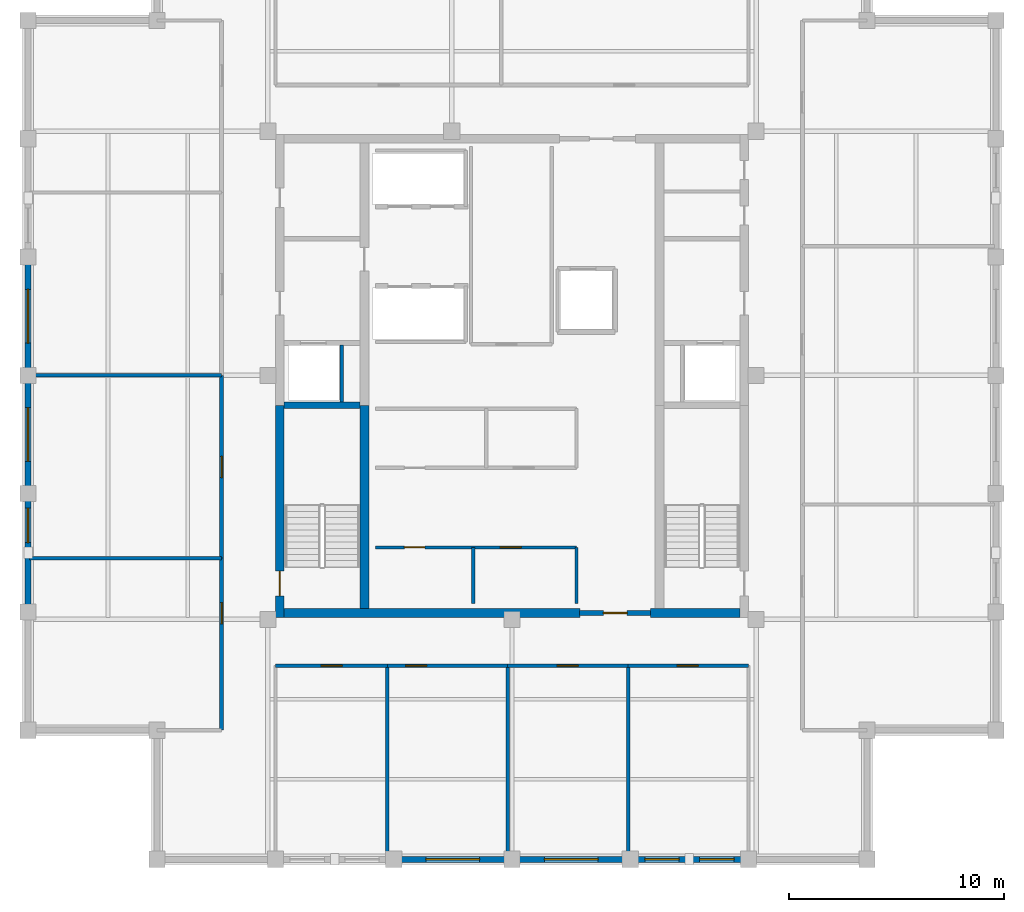
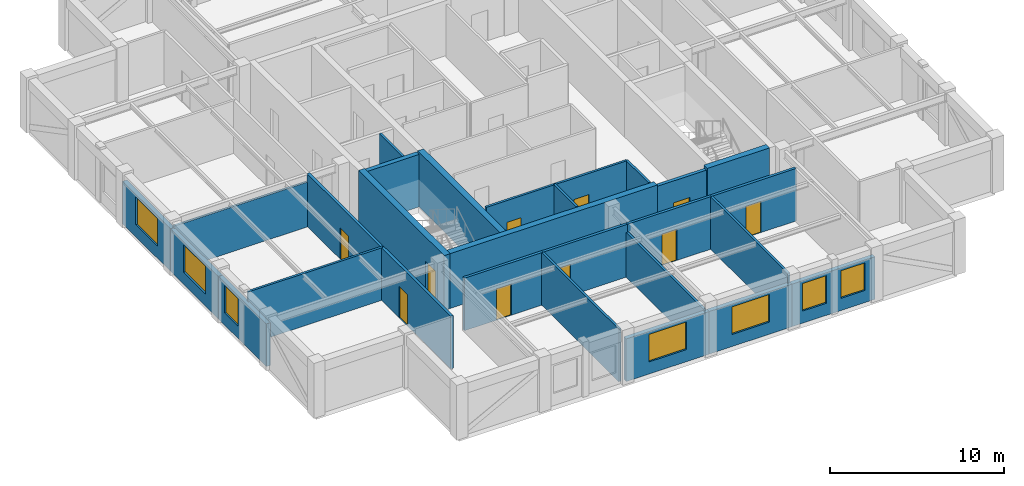
# One storey, part 2 of 6: 27 walls, 10 doors, 7 windows, 17 openings.
"""IFC4 building model written with IfcOpenShell, lengths in metres."""

from ifc_helpers import new_model, si_unit, direction, frame, frame_2d, origin, place, context, subcontext, project, spatial, rectangle, extrude, material, layer, layer_set, type_object, element, fill, save


model = new_model("IFC4")

# Units and contexts
model_context = context("Model", 3, precision=1e-05, world=origin(), true_north=direction((0.0, 1.0)))
body_context = subcontext(model_context, "Body", "Model", "MODEL_VIEW")
ifc_project = project(units=[si_unit("LENGTHUNIT", "METRE"), si_unit("AREAUNIT", "SQUARE_METRE"), si_unit("VOLUMEUNIT", "CUBIC_METRE"), si_unit("PLANEANGLEUNIT", "RADIAN"), si_unit("MASSUNIT", "GRAM", prefix="KILO")], contexts=[model_context])

# Site, building, storey
site_placement = place(None, origin())
site = spatial("IfcSite", under=ifc_project, at=site_placement, CompositionType="ELEMENT")
building_placement = place(site_placement, origin())
building = spatial("IfcBuilding", under=site, at=building_placement, Name="Nhamokura Convention Tower", CompositionType="ELEMENT")
storey_placement = place(building_placement, frame((0.0, 0.0, 266.0)))
storey = spatial("IfcBuildingStorey", under=building, at=storey_placement, Name="L65", CompositionType="ELEMENT", Elevation=266.0)

# Wall, opening, window
ifc_material_1 = material(Name="Bronze-pigmented precast concrete C45/55", Category="concrete")
ifc_layer_1 = layer(ifc_material_1, 0.280029296875)
ifc_layer_set_1 = layer_set([ifc_layer_1], Name="BronzePrecastSpandrel_280")
wall_type_1 = type_object("IfcWallType", Name="BronzePrecastSpandrel_280", PredefinedType="USERDEFINED", material=ifc_layer_set_1)
wall_1_placement = place(storey_placement, frame((32.0, 9.5, 0.0), z_axis=(0.0, 0.0, 1.0), x_axis=(-1.0, 0.0, 0.0)))
wall_1 = element("IfcWall", 1, at=wall_1_placement, inside=storey, type_object=wall_type_1, Name="L65 Masonry-Frame Wall SOUTH 2", ObjectType="SPANDREL_WALL", PredefinedType="USERDEFINED", context=body_context, shape_type="SweptSolid", body=[
    extrude(rectangle(XDim=5.5, YDim=0.280029296875, at=frame_2d((2.75, 0.0))), origin(), (0.0, 0.0, 1.0), 2.985107421875),
])
opening_1_placement = place(wall_1_placement, frame((1.5, 0.0, 0.85009765625)))
opening_1 = element("IfcOpeningElement", 2, at=opening_1_placement, cuts=wall_1, Name="Opening W-09", PredefinedType="OPENING", context=body_context, shape_type="SweptSolid", body=[
    extrude(rectangle(XDim=2.5, YDim=1.93505859375, at=frame_2d((1.25, 0.967529296875))), frame((0.0, 0.14990234375, 0.0), z_axis=(0.0, -1.0, 0.0), x_axis=(1.0, 0.0, 0.0)), (0.0, 0.0, 1.0), 0.300048828125),
])
ifc_material_2 = material(Name="Solar-control bronze low-E double glass", Category="glass")
window_type_1 = type_object("IfcWindowType", Name="SummitWindow_Z4_2500", PartitioningType="DOUBLE_PANEL_VERTICAL", PredefinedType="WINDOW", material=ifc_material_2)
window_1_placement = place(opening_1_placement, origin())
window_1 = element("IfcWindow", 3, at=window_1_placement, inside=storey, type_object=window_type_1, Name="L65 Facade Window SOUTH 2", OverallHeight=1.93505859375, OverallWidth=2.5, PartitioningType="SINGLE_PANEL", PredefinedType="WINDOW", context=body_context, shape_type="SweptSolid", body=[
    extrude(rectangle(XDim=2.5, YDim=1.93505859375, at=frame_2d((1.25, 0.967529296875))), frame((0.0, 0.030029296875, 0.0), z_axis=(0.0, -1.0, 0.0), x_axis=(1.0, 0.0, 0.0)), (0.0, 0.0, 1.0), 0.06005859375),
])
fill(opening_1, window_1)

wall_2_placement = place(storey_placement, frame((37.5, 9.5, 0.0), z_axis=(0.0, 0.0, 1.0), x_axis=(-1.0, 0.0, 0.0)))
wall_2 = element("IfcWall", 4, at=wall_2_placement, inside=storey, type_object=wall_type_1, Name="L65 Masonry-Frame Wall SOUTH 3", ObjectType="SPANDREL_WALL", PredefinedType="USERDEFINED", context=body_context, shape_type="SweptSolid", body=[
    extrude(rectangle(XDim=5.5, YDim=0.280029296875, at=frame_2d((2.75, 0.0))), origin(), (0.0, 0.0, 1.0), 2.985107421875),
])
opening_2_placement = place(wall_2_placement, frame((1.5, 0.0, 0.85009765625)))
opening_2 = element("IfcOpeningElement", 5, at=opening_2_placement, cuts=wall_2, Name="Opening W-09", PredefinedType="OPENING", context=body_context, shape_type="SweptSolid", body=[
    extrude(rectangle(XDim=2.5, YDim=1.93505859375, at=frame_2d((1.25, 0.967529296875))), frame((0.0, 0.14990234375, 0.0), z_axis=(0.0, -1.0, 0.0), x_axis=(1.0, 0.0, 0.0)), (0.0, 0.0, 1.0), 0.300048828125),
])
window_2_placement = place(opening_2_placement, origin())
window_2 = element("IfcWindow", 6, at=window_2_placement, inside=storey, type_object=window_type_1, Name="L65 Facade Window SOUTH 3", OverallHeight=1.93505859375, OverallWidth=2.5, PartitioningType="SINGLE_PANEL", PredefinedType="WINDOW", context=body_context, shape_type="SweptSolid", body=[
    extrude(rectangle(XDim=2.5, YDim=1.93505859375, at=frame_2d((1.25, 0.967529296875))), frame((0.0, 0.030029296875, 0.0), z_axis=(0.0, -1.0, 0.0), x_axis=(1.0, 0.0, 0.0)), (0.0, 0.0, 1.0), 0.06005859375),
])
fill(opening_2, window_2)

# Wall, openings, windows
wall_3_placement = place(storey_placement, frame((43.0, 9.5, 0.0), z_axis=(0.0, 0.0, 1.0), x_axis=(-1.0, 0.0, 0.0)))
wall_3 = element("IfcWall", 7, at=wall_3_placement, inside=storey, type_object=wall_type_1, Name="L65 Masonry-Frame Wall SOUTH 4", ObjectType="SPANDREL_WALL", PredefinedType="USERDEFINED", context=body_context, shape_type="SweptSolid", body=[
    extrude(rectangle(XDim=5.5, YDim=0.280029296875, at=frame_2d((2.75, 0.0))), origin(), (0.0, 0.0, 1.0), 2.985107421875),
])
opening_3_placement = place(wall_3_placement, frame((0.675048828125, 0.0, 0.85009765625)))
opening_3 = element("IfcOpeningElement", 8, at=opening_3_placement, cuts=wall_3, Name="Opening W-11", PredefinedType="OPENING", context=body_context, shape_type="SweptSolid", body=[
    extrude(rectangle(XDim=1.60009765625, YDim=1.93505859375, at=frame_2d((0.800048828125, 0.967529296875))), frame((0.0, 0.14990234375, 0.0), z_axis=(0.0, -1.0, 0.0), x_axis=(1.0, 0.0, 0.0)), (0.0, 0.0, 1.0), 0.300048828125),
])
opening_4_placement = place(wall_3_placement, frame((3.22509765625, 0.0, 0.85009765625)))
opening_4 = element("IfcOpeningElement", 9, at=opening_4_placement, cuts=wall_3, Name="Opening W-11", PredefinedType="OPENING", context=body_context, shape_type="SweptSolid", body=[
    extrude(rectangle(XDim=1.60009765625, YDim=1.93505859375, at=frame_2d((0.800048828125, 0.967529296875))), frame((0.0, 0.14990234375, 0.0), z_axis=(0.0, -1.0, 0.0), x_axis=(1.0, 0.0, 0.0)), (0.0, 0.0, 1.0), 0.300048828125),
])
ifc_material_3 = material(Name="Solar-control bronze low-E double glass", Category="glass")
window_type_2 = type_object("IfcWindowType", Name="NotchCornerWindow_1600", PartitioningType="SINGLE_PANEL", PredefinedType="WINDOW", material=ifc_material_3)
window_3_placement = place(opening_3_placement, origin())
window_3 = element("IfcWindow", 10, at=window_3_placement, inside=storey, type_object=window_type_2, Name="L65 Facade Window SOUTH 4-1", OverallHeight=1.93505859375, OverallWidth=1.60009765625, PartitioningType="SINGLE_PANEL", PredefinedType="WINDOW", context=body_context, shape_type="SweptSolid", body=[
    extrude(rectangle(XDim=1.60009765625, YDim=1.93505859375, at=frame_2d((0.800048828125, 0.967529296875))), frame((0.0, 0.030029296875, 0.0), z_axis=(0.0, -1.0, 0.0), x_axis=(1.0, 0.0, 0.0)), (0.0, 0.0, 1.0), 0.06005859375),
])
fill(opening_3, window_3)
window_4_placement = place(opening_4_placement, origin())
window_4 = element("IfcWindow", 11, at=window_4_placement, inside=storey, type_object=window_type_2, Name="L65 Facade Window SOUTH 4-2", OverallHeight=1.93505859375, OverallWidth=1.60009765625, PartitioningType="SINGLE_PANEL", PredefinedType="WINDOW", context=body_context, shape_type="SweptSolid", body=[
    extrude(rectangle(XDim=1.60009765625, YDim=1.93505859375, at=frame_2d((0.800048828125, 0.967529296875))), frame((0.0, 0.030029296875, 0.0), z_axis=(0.0, -1.0, 0.0), x_axis=(1.0, 0.0, 0.0)), (0.0, 0.0, 1.0), 0.06005859375),
])
fill(opening_4, window_4)

# Wall, opening, window
wall_4_placement = place(storey_placement, frame((9.5, 21.0, 0.0), z_axis=(0.0, 0.0, 1.0), x_axis=(0.0, 1.0, 0.0)))
wall_4 = element("IfcWall", 12, at=wall_4_placement, inside=storey, type_object=wall_type_1, Name="L65 Masonry-Frame Wall WEST 1", ObjectType="SPANDREL_WALL", PredefinedType="USERDEFINED", context=body_context, shape_type="SweptSolid", body=[
    extrude(rectangle(XDim=5.5, YDim=0.280029296875, at=frame_2d((2.75, 0.0))), origin(), (0.0, 0.0, 1.0), 2.985107421875),
])
opening_5_placement = place(wall_4_placement, frame((3.22509765625, 0.0, 0.85009765625)))
opening_5 = element("IfcOpeningElement", 13, at=opening_5_placement, cuts=wall_4, Name="Opening W-11", PredefinedType="OPENING", context=body_context, shape_type="SweptSolid", body=[
    extrude(rectangle(XDim=1.60009765625, YDim=1.93505859375, at=frame_2d((0.800048828125, 0.967529296875))), frame((0.0, 0.14990234375, 0.0), z_axis=(0.0, -1.0, 0.0), x_axis=(1.0, 0.0, 0.0)), (0.0, 0.0, 1.0), 0.300048828125),
])
window_5_placement = place(opening_5_placement, origin())
window_5 = element("IfcWindow", 14, at=window_5_placement, inside=storey, type_object=window_type_2, Name="L65 Facade Window WEST 1-2", OverallHeight=1.93505859375, OverallWidth=1.60009765625, PartitioningType="SINGLE_PANEL", PredefinedType="WINDOW", context=body_context, shape_type="SweptSolid", body=[
    extrude(rectangle(XDim=1.60009765625, YDim=1.93505859375, at=frame_2d((0.800048828125, 0.967529296875))), frame((0.0, 0.030029296875, 0.0), z_axis=(0.0, -1.0, 0.0), x_axis=(1.0, 0.0, 0.0)), (0.0, 0.0, 1.0), 0.06005859375),
])
fill(opening_5, window_5)

wall_5_placement = place(storey_placement, frame((9.5, 26.5, 0.0), z_axis=(0.0, 0.0, 1.0), x_axis=(0.0, 1.0, 0.0)))
wall_5 = element("IfcWall", 15, at=wall_5_placement, inside=storey, type_object=wall_type_1, Name="L65 Masonry-Frame Wall WEST 2", ObjectType="SPANDREL_WALL", PredefinedType="USERDEFINED", context=body_context, shape_type="SweptSolid", body=[
    extrude(rectangle(XDim=5.5, YDim=0.280029296875, at=frame_2d((2.75, 0.0))), origin(), (0.0, 0.0, 1.0), 2.985107421875),
])
opening_6_placement = place(wall_5_placement, frame((1.5, 0.0, 0.85009765625)))
opening_6 = element("IfcOpeningElement", 16, at=opening_6_placement, cuts=wall_5, Name="Opening W-09", PredefinedType="OPENING", context=body_context, shape_type="SweptSolid", body=[
    extrude(rectangle(XDim=2.5, YDim=1.93505859375, at=frame_2d((1.25, 0.967529296875))), frame((0.0, 0.14990234375, 0.0), z_axis=(0.0, -1.0, 0.0), x_axis=(1.0, 0.0, 0.0)), (0.0, 0.0, 1.0), 0.300048828125),
])
window_6_placement = place(opening_6_placement, origin())
window_6 = element("IfcWindow", 17, at=window_6_placement, inside=storey, type_object=window_type_1, Name="L65 Facade Window WEST 2", OverallHeight=1.93505859375, OverallWidth=2.5, PartitioningType="SINGLE_PANEL", PredefinedType="WINDOW", context=body_context, shape_type="SweptSolid", body=[
    extrude(rectangle(XDim=2.5, YDim=1.93505859375, at=frame_2d((1.25, 0.967529296875))), frame((0.0, 0.030029296875, 0.0), z_axis=(0.0, -1.0, 0.0), x_axis=(1.0, 0.0, 0.0)), (0.0, 0.0, 1.0), 0.06005859375),
])
fill(opening_6, window_6)

wall_6_placement = place(storey_placement, frame((9.5, 32.0, 0.0), z_axis=(0.0, 0.0, 1.0), x_axis=(0.0, 1.0, 0.0)))
wall_6 = element("IfcWall", 18, at=wall_6_placement, inside=storey, type_object=wall_type_1, Name="L65 Masonry-Frame Wall WEST 3", ObjectType="SPANDREL_WALL", PredefinedType="USERDEFINED", context=body_context, shape_type="SweptSolid", body=[
    extrude(rectangle(XDim=5.5, YDim=0.280029296875, at=frame_2d((2.75, 0.0))), origin(), (0.0, 0.0, 1.0), 2.985107421875),
])
opening_7_placement = place(wall_6_placement, frame((1.5, 0.0, 0.85009765625)))
opening_7 = element("IfcOpeningElement", 19, at=opening_7_placement, cuts=wall_6, Name="Opening W-09", PredefinedType="OPENING", context=body_context, shape_type="SweptSolid", body=[
    extrude(rectangle(XDim=2.5, YDim=1.93505859375, at=frame_2d((1.25, 0.967529296875))), frame((0.0, 0.14990234375, 0.0), z_axis=(0.0, -1.0, 0.0), x_axis=(1.0, 0.0, 0.0)), (0.0, 0.0, 1.0), 0.300048828125),
])
window_7_placement = place(opening_7_placement, origin())
window_7 = element("IfcWindow", 20, at=window_7_placement, inside=storey, type_object=window_type_1, Name="L65 Facade Window WEST 3", OverallHeight=1.93505859375, OverallWidth=2.5, PartitioningType="SINGLE_PANEL", PredefinedType="WINDOW", context=body_context, shape_type="SweptSolid", body=[
    extrude(rectangle(XDim=2.5, YDim=1.93505859375, at=frame_2d((1.25, 0.967529296875))), frame((0.0, 0.030029296875, 0.0), z_axis=(0.0, -1.0, 0.0), x_axis=(1.0, 0.0, 0.0)), (0.0, 0.0, 1.0), 0.06005859375),
])
fill(opening_7, window_7)

# Wall, opening, door
ifc_material_4 = material(Name="Concrete C50/60", Category="concrete")
ifc_layer_2 = layer(ifc_material_4, 0.39990234375)
ifc_layer_set_2 = layer_set([ifc_layer_2], Name="CoreShearWall_400")
wall_type_2 = type_object("IfcWallType", Name="CoreShearWall_400", PredefinedType="SHEAR", material=ifc_layer_set_2)
wall_7_placement = place(storey_placement, frame((21.2099609375, 20.75, 0.0), z_axis=(0.0, 0.0, 1.0), x_axis=(0.0, 1.0, 0.0)))
wall_7 = element("IfcWall", 21, at=wall_7_placement, inside=storey, type_object=wall_type_2, Name="L65 Core Shear Wall CW-WS", PredefinedType="SHEAR", context=body_context, shape_type="SweptSolid", body=[
    extrude(rectangle(XDim=9.85009765625, YDim=0.39990234375, at=frame_2d((4.925048828125, 0.0))), origin(), (0.0, 0.0, 1.0), 3.85009765625),
])
opening_8_placement = place(wall_7_placement, frame((1.0, 0.0, 0.0)))
opening_8 = element("IfcOpeningElement", 22, at=opening_8_placement, cuts=wall_7, Name="Opening D-04", PredefinedType="OPENING", context=body_context, shape_type="SweptSolid", body=[
    extrude(rectangle(XDim=1.14990234375, YDim=2.14990234375, at=frame_2d((0.574951171875, 1.074951171875))), frame((0.0, 0.2099609375, 0.0), z_axis=(0.0, -1.0, 0.0), x_axis=(1.0, 0.0, 0.0)), (0.0, 0.0, 1.0), 0.419921875),
])
ifc_material_5 = material(Name="Fire-rated steel door", Category="steel")
door_type_1 = type_object("IfcDoorType", Name="StairSmokeDoor_1150", OperationType="NOTDEFINED", PredefinedType="DOOR", material=ifc_material_5)
door_1_placement = place(opening_8_placement, origin())
door_1 = element("IfcDoor", 23, at=door_1_placement, inside=storey, type_object=door_type_1, Name="L65 Core Door INT-L65-D-ST01", OperationType="SINGLE_SWING_LEFT", OverallHeight=2.14990234375, OverallWidth=1.14990234375, PredefinedType="DOOR", context=body_context, shape_type="SweptSolid", body=[
    extrude(rectangle(XDim=1.14990234375, YDim=2.14990234375, at=frame_2d((0.574951171875, 1.074951171875))), frame((0.0, 0.02490234375, 0.0), z_axis=(0.0, -1.0, 0.0), x_axis=(1.0, 0.0, 0.0)), (0.0, 0.0, 1.0), 0.050048828125),
])
fill(opening_8, door_1)

# Walls
wall_8_placement = place(storey_placement, frame((21.409912109375, 20.949951171875, 0.0), z_axis=(0.0, 0.0, 1.0), x_axis=(1.0, 0.0, 0.0)))
element("IfcWall", 24, at=wall_8_placement, inside=storey, type_object=wall_type_2, Name="L65 Core Shear Wall CW-S1", PredefinedType="SHEAR", context=body_context, shape_type="SweptSolid", body=[
    extrude(rectangle(XDim=13.739990234375, YDim=0.39990234375, at=frame_2d((6.8701171875, 0.0))), origin(), (0.0, 0.0, 1.0), 3.85009765625),
])
wall_9_placement = place(storey_placement, frame((38.449951171875, 20.949951171875, 0.0), z_axis=(0.0, 0.0, 1.0), x_axis=(1.0, 0.0, 0.0)))
element("IfcWall", 25, at=wall_9_placement, inside=storey, type_object=wall_type_2, Name="L65 Core Shear Wall CW-S2", PredefinedType="SHEAR", context=body_context, shape_type="SweptSolid", body=[
    extrude(rectangle(XDim=4.14013671875, YDim=0.39990234375, at=frame_2d((2.070068359375, 0.0))), origin(), (0.0, 0.0, 1.0), 3.85009765625),
])
wall_10_placement = place(storey_placement, frame((25.139892578125, 21.14990234375, 0.0), z_axis=(0.0, 0.0, 1.0), x_axis=(0.0, 1.0, 0.0)))
element("IfcWall", 26, at=wall_10_placement, inside=storey, type_object=wall_type_2, Name="L65 Core Shear Wall CW-IWS", PredefinedType="SHEAR", context=body_context, shape_type="SweptSolid", body=[
    extrude(rectangle(XDim=9.4501953125, YDim=0.39990234375, at=frame_2d((4.72509765625, 0.0))), origin(), (0.0, 0.0, 1.0), 3.85009765625),
])

# Wall, opening, door
ifc_material_6 = material(Name="Fire-rated gypsum and masonry partition", Category="masonry")
ifc_layer_3 = layer(ifc_material_6, 0.179931640625)
ifc_layer_set_3 = layer_set([ifc_layer_3], Name="CorridorRatedWall_180")
wall_type_3 = type_object("IfcWallType", Name="CorridorRatedWall_180", PredefinedType="STANDARD", material=ifc_layer_set_3)
wall_11_placement = place(storey_placement, frame((21.0, 18.5, 0.0), z_axis=(0.0, 0.0, 1.0), x_axis=(1.0, 0.0, 0.0)))
wall_11 = element("IfcWall", 27, at=wall_11_placement, inside=storey, type_object=wall_type_3, Name="L65 Wall INT-L65-CW-S00", PredefinedType="STANDARD", context=body_context, shape_type="SweptSolid", body=[
    extrude(rectangle(XDim=5.199951171875, YDim=0.179931640625, at=frame_2d((2.60009765625, 0.0))), origin(), (0.0, 0.0, 1.0), 3.68505859375),
])
opening_9_placement = place(wall_11_placement, frame((2.125, 0.0, 0.0)))
opening_9 = element("IfcOpeningElement", 28, at=opening_9_placement, cuts=wall_11, Name="Opening D-08", PredefinedType="OPENING", context=body_context, shape_type="SweptSolid", body=[
    extrude(rectangle(XDim=0.97998046875, YDim=2.199951171875, at=frame_2d((0.489990234375, 1.10009765625))), frame((0.0, 0.099853515625, 0.0), z_axis=(0.0, -1.0, 0.0), x_axis=(1.0, 0.0, 0.0)), (0.0, 0.0, 1.0), 0.199951171875),
])
ifc_material_7 = material(Name="Solid oak hardwood", Category="wood")
door_type_2 = type_object("IfcDoorType", Name="OfficeEntryDoor_980", OperationType="NOTDEFINED", PredefinedType="DOOR", material=ifc_material_7)
door_2_placement = place(opening_9_placement, origin())
door_2 = element("IfcDoor", 29, at=door_2_placement, inside=storey, type_object=door_type_2, Name="L65 Private Office S01 Door", OperationType="SINGLE_SWING_LEFT", OverallHeight=2.199951171875, OverallWidth=0.97998046875, PredefinedType="DOOR", context=body_context, shape_type="SweptSolid", body=[
    extrude(rectangle(XDim=0.97998046875, YDim=2.199951171875, at=frame_2d((0.489990234375, 1.10009765625))), frame((0.0, 0.02490234375, 0.0), z_axis=(0.0, -1.0, 0.0), x_axis=(1.0, 0.0, 0.0)), (0.0, 0.0, 1.0), 0.050048828125),
])
fill(opening_9, door_2)

wall_12_placement = place(storey_placement, frame((26.199951171875, 18.5, 0.0), z_axis=(0.0, 0.0, 1.0), x_axis=(1.0, 0.0, 0.0)))
wall_12 = element("IfcWall", 30, at=wall_12_placement, inside=storey, type_object=wall_type_3, Name="L65 Wall INT-L65-CW-S01", PredefinedType="STANDARD", context=body_context, shape_type="SweptSolid", body=[
    extrude(rectangle(XDim=5.60009765625, YDim=0.179931640625, at=frame_2d((2.800048828125, 0.0))), origin(), (0.0, 0.0, 1.0), 3.68505859375),
])
opening_10_placement = place(wall_12_placement, frame((0.85009765625, 0.0, 0.0)))
opening_10 = element("IfcOpeningElement", 31, at=opening_10_placement, cuts=wall_12, Name="Opening D-08", PredefinedType="OPENING", context=body_context, shape_type="SweptSolid", body=[
    extrude(rectangle(XDim=0.97998046875, YDim=2.199951171875, at=frame_2d((0.489990234375, 1.10009765625))), frame((0.0, 0.099853515625, 0.0), z_axis=(0.0, -1.0, 0.0), x_axis=(1.0, 0.0, 0.0)), (0.0, 0.0, 1.0), 0.199951171875),
])
door_3_placement = place(opening_10_placement, origin())
door_3 = element("IfcDoor", 32, at=door_3_placement, inside=storey, type_object=door_type_2, Name="L65 Private Office S02 Door", OperationType="SINGLE_SWING_RIGHT", OverallHeight=2.199951171875, OverallWidth=0.97998046875, PredefinedType="DOOR", context=body_context, shape_type="SweptSolid", body=[
    extrude(rectangle(XDim=0.97998046875, YDim=2.199951171875, at=frame_2d((0.489990234375, 1.10009765625))), frame((0.0, 0.02490234375, 0.0), z_axis=(0.0, -1.0, 0.0), x_axis=(1.0, 0.0, 0.0)), (0.0, 0.0, 1.0), 0.050048828125),
])
fill(opening_10, door_3)

wall_13_placement = place(storey_placement, frame((31.800048828125, 18.5, 0.0), z_axis=(0.0, 0.0, 1.0), x_axis=(1.0, 0.0, 0.0)))
wall_13 = element("IfcWall", 33, at=wall_13_placement, inside=storey, type_object=wall_type_3, Name="L65 Wall INT-L65-CW-S02", PredefinedType="STANDARD", context=body_context, shape_type="SweptSolid", body=[
    extrude(rectangle(XDim=5.599853515625, YDim=0.179931640625, at=frame_2d((2.7998046875, 0.0))), origin(), (0.0, 0.0, 1.0), 3.68505859375),
])
opening_11_placement = place(wall_13_placement, frame((2.300048828125, 0.0, 0.0)))
opening_11 = element("IfcOpeningElement", 34, at=opening_11_placement, cuts=wall_13, Name="Opening D-08", PredefinedType="OPENING", context=body_context, shape_type="SweptSolid", body=[
    extrude(rectangle(XDim=0.97998046875, YDim=2.199951171875, at=frame_2d((0.489990234375, 1.10009765625))), frame((0.0, 0.099853515625, 0.0), z_axis=(0.0, -1.0, 0.0), x_axis=(1.0, 0.0, 0.0)), (0.0, 0.0, 1.0), 0.199951171875),
])
door_4_placement = place(opening_11_placement, origin())
door_4 = element("IfcDoor", 35, at=door_4_placement, inside=storey, type_object=door_type_2, Name="L65 Executive Suite S03 Door", OperationType="SINGLE_SWING_LEFT", OverallHeight=2.199951171875, OverallWidth=0.97998046875, PredefinedType="DOOR", context=body_context, shape_type="SweptSolid", body=[
    extrude(rectangle(XDim=0.97998046875, YDim=2.199951171875, at=frame_2d((0.489990234375, 1.10009765625))), frame((0.0, 0.02490234375, 0.0), z_axis=(0.0, -1.0, 0.0), x_axis=(1.0, 0.0, 0.0)), (0.0, 0.0, 1.0), 0.050048828125),
])
fill(opening_11, door_4)

wall_14_placement = place(storey_placement, frame((37.39990234375, 18.5, 0.0), z_axis=(0.0, 0.0, 1.0), x_axis=(1.0, 0.0, 0.0)))
wall_14 = element("IfcWall", 36, at=wall_14_placement, inside=storey, type_object=wall_type_3, Name="L65 Wall INT-L65-CW-S03", PredefinedType="STANDARD", context=body_context, shape_type="SweptSolid", body=[
    extrude(rectangle(XDim=5.60009765625, YDim=0.179931640625, at=frame_2d((2.800048828125, 0.0))), origin(), (0.0, 0.0, 1.0), 3.68505859375),
])
opening_12_placement = place(wall_14_placement, frame((2.27490234375, 0.0, 0.0)))
opening_12 = element("IfcOpeningElement", 37, at=opening_12_placement, cuts=wall_14, Name="Opening D-08", PredefinedType="OPENING", context=body_context, shape_type="SweptSolid", body=[
    extrude(rectangle(XDim=0.97998046875, YDim=2.199951171875, at=frame_2d((0.489990234375, 1.10009765625))), frame((0.0, 0.099853515625, 0.0), z_axis=(0.0, -1.0, 0.0), x_axis=(1.0, 0.0, 0.0)), (0.0, 0.0, 1.0), 0.199951171875),
])
door_5_placement = place(opening_12_placement, origin())
door_5 = element("IfcDoor", 38, at=door_5_placement, inside=storey, type_object=door_type_2, Name="L65 Private Office S04 Door", OperationType="SINGLE_SWING_RIGHT", OverallHeight=2.199951171875, OverallWidth=0.97998046875, PredefinedType="DOOR", context=body_context, shape_type="SweptSolid", body=[
    extrude(rectangle(XDim=0.97998046875, YDim=2.199951171875, at=frame_2d((0.489990234375, 1.10009765625))), frame((0.0, 0.02490234375, 0.0), z_axis=(0.0, -1.0, 0.0), x_axis=(1.0, 0.0, 0.0)), (0.0, 0.0, 1.0), 0.050048828125),
])
fill(opening_12, door_5)

wall_15_placement = place(storey_placement, frame((18.5, 15.5, 0.0), z_axis=(0.0, 0.0, 1.0), x_axis=(0.0, 1.0, 0.0)))
wall_15 = element("IfcWall", 39, at=wall_15_placement, inside=storey, type_object=wall_type_3, Name="L65 Wall INT-L65-CW-W00", PredefinedType="STANDARD", context=body_context, shape_type="SweptSolid", body=[
    extrude(rectangle(XDim=8.0, YDim=0.179931640625, at=frame_2d((4.0, 0.0))), origin(), (0.0, 0.0, 1.0), 3.68505859375),
])
opening_13_placement = place(wall_15_placement, frame((4.949951171875, 0.0, 0.0)))
opening_13 = element("IfcOpeningElement", 40, at=opening_13_placement, cuts=wall_15, Name="Opening D-08", PredefinedType="OPENING", context=body_context, shape_type="SweptSolid", body=[
    extrude(rectangle(XDim=0.97998046875, YDim=2.199951171875, at=frame_2d((0.489990234375, 1.10009765625))), frame((0.0, 0.099853515625, 0.0), z_axis=(0.0, -1.0, 0.0), x_axis=(1.0, 0.0, 0.0)), (0.0, 0.0, 1.0), 0.199951171875),
])
door_6_placement = place(opening_13_placement, origin())
door_6 = element("IfcDoor", 41, at=door_6_placement, inside=storey, type_object=door_type_2, Name="L65 Boardroom W01 Door", OperationType="SINGLE_SWING_LEFT", OverallHeight=2.199951171875, OverallWidth=0.97998046875, PredefinedType="DOOR", context=body_context, shape_type="SweptSolid", body=[
    extrude(rectangle(XDim=0.97998046875, YDim=2.199951171875, at=frame_2d((0.489990234375, 1.10009765625))), frame((0.0, 0.02490234375, 0.0), z_axis=(0.0, -1.0, 0.0), x_axis=(1.0, 0.0, 0.0)), (0.0, 0.0, 1.0), 0.050048828125),
])
fill(opening_13, door_6)

wall_16_placement = place(storey_placement, frame((18.5, 23.5, 0.0), z_axis=(0.0, 0.0, 1.0), x_axis=(0.0, 1.0, 0.0)))
wall_16 = element("IfcWall", 42, at=wall_16_placement, inside=storey, type_object=wall_type_3, Name="L65 Wall INT-L65-CW-W01", PredefinedType="STANDARD", context=body_context, shape_type="SweptSolid", body=[
    extrude(rectangle(XDim=8.5, YDim=0.179931640625, at=frame_2d((4.25, 0.0))), origin(), (0.0, 0.0, 1.0), 3.68505859375),
])
opening_14_placement = place(wall_16_placement, frame((3.75, 0.0, 0.0)))
opening_14 = element("IfcOpeningElement", 43, at=opening_14_placement, cuts=wall_16, Name="Opening D-08", PredefinedType="OPENING", context=body_context, shape_type="SweptSolid", body=[
    extrude(rectangle(XDim=0.97998046875, YDim=2.199951171875, at=frame_2d((0.489990234375, 1.10009765625))), frame((0.0, 0.099853515625, 0.0), z_axis=(0.0, -1.0, 0.0), x_axis=(1.0, 0.0, 0.0)), (0.0, 0.0, 1.0), 0.199951171875),
])
door_7_placement = place(opening_14_placement, origin())
door_7 = element("IfcDoor", 44, at=door_7_placement, inside=storey, type_object=door_type_2, Name="L65 Private Office W02 Door", OperationType="SINGLE_SWING_RIGHT", OverallHeight=2.199951171875, OverallWidth=0.97998046875, PredefinedType="DOOR", context=body_context, shape_type="SweptSolid", body=[
    extrude(rectangle(XDim=0.97998046875, YDim=2.199951171875, at=frame_2d((0.489990234375, 1.10009765625))), frame((0.0, 0.02490234375, 0.0), z_axis=(0.0, -1.0, 0.0), x_axis=(1.0, 0.0, 0.0)), (0.0, 0.0, 1.0), 0.050048828125),
])
fill(opening_14, door_7)

ifc_material_8 = material(Name="Autoclaved concrete blockwork", Category="masonry")
ifc_layer_4 = layer(ifc_material_8, 0.219970703125)
ifc_layer_set_4 = layer_set([ifc_layer_4], Name="FireLobbyWall_220")
wall_type_4 = type_object("IfcWallType", Name="FireLobbyWall_220", PredefinedType="STANDARD", material=ifc_layer_set_4)
wall_17_placement = place(storey_placement, frame((35.14990234375, 20.949951171875, 0.0), z_axis=(0.0, 0.0, 1.0), x_axis=(1.0, 0.0, 0.0)))
wall_17 = element("IfcWall", 45, at=wall_17_placement, inside=storey, type_object=wall_type_4, Name="L65 Wall INT-L65-SPORT-S", PredefinedType="STANDARD", context=body_context, shape_type="SweptSolid", body=[
    extrude(rectangle(XDim=3.300048828125, YDim=0.219970703125, at=frame_2d((1.64990234375, 0.0))), origin(), (0.0, 0.0, 1.0), 3.68505859375),
])
opening_15_placement = place(wall_17_placement, frame((1.10009765625, 0.0, 0.0)))
opening_15 = element("IfcOpeningElement", 46, at=opening_15_placement, cuts=wall_17, Name="Opening D-05", PredefinedType="OPENING", context=body_context, shape_type="SweptSolid", body=[
    extrude(rectangle(XDim=1.10009765625, YDim=2.14990234375, at=frame_2d((0.550048828125, 1.074951171875))), frame((0.0, 0.119873046875, 0.0), z_axis=(0.0, -1.0, 0.0), x_axis=(1.0, 0.0, 0.0)), (0.0, 0.0, 1.0), 0.239990234375),
])
ifc_material_9 = material(Name="Fire-rated steel door", Category="steel")
door_type_3 = type_object("IfcDoorType", Name="FireLobbyDoor_1100", OperationType="NOTDEFINED", PredefinedType="DOOR", material=ifc_material_9)
door_8_placement = place(opening_15_placement, origin())
door_8 = element("IfcDoor", 47, at=door_8_placement, inside=storey, type_object=door_type_3, Name="L65 South Core Lobby Portal Door", OperationType="SINGLE_SWING_LEFT", OverallHeight=2.14990234375, OverallWidth=1.10009765625, PredefinedType="DOOR", context=body_context, shape_type="SweptSolid", body=[
    extrude(rectangle(XDim=1.10009765625, YDim=2.14990234375, at=frame_2d((0.550048828125, 1.074951171875))), frame((0.0, 0.02490234375, 0.0), z_axis=(0.0, -1.0, 0.0), x_axis=(1.0, 0.0, 0.0)), (0.0, 0.0, 1.0), 0.050048828125),
])
fill(opening_15, door_8)

# Wall
ifc_material_10 = material(Name="Acoustic gypsum stud partition", Category="masonry")
ifc_layer_5 = layer(ifc_material_10, 0.14990234375)
ifc_layer_set_5 = layer_set([ifc_layer_5], Name="InteriorPartition_150")
wall_type_5 = type_object("IfcWallType", Name="InteriorPartition_150", PredefinedType="STANDARD", material=ifc_layer_set_5)
wall_18_placement = place(storey_placement, frame((24.080078125, 30.75, 0.0), z_axis=(0.0, 0.0, 1.0), x_axis=(0.0, 1.0, 0.0)))
element("IfcWall", 48, at=wall_18_placement, inside=storey, type_object=wall_type_5, Name="L65 Wall INT-L65-FF1-E", PredefinedType="STANDARD", context=body_context, shape_type="SweptSolid", body=[
    extrude(rectangle(XDim=2.64990234375, YDim=0.14990234375, at=frame_2d((1.324951171875, 0.0))), origin(), (0.0, 0.0, 1.0), 3.68505859375),
])

# Wall, openings, doors
wall_19_placement = place(storey_placement, frame((25.64990234375, 24.0, 0.0), z_axis=(0.0, 0.0, 1.0), x_axis=(1.0, 0.0, 0.0)))
wall_19 = element("IfcWall", 49, at=wall_19_placement, inside=storey, type_object=wall_type_5, Name="L65 Wall INT-L65-B1R-N", PredefinedType="STANDARD", context=body_context, shape_type="SweptSolid", body=[
    extrude(rectangle(XDim=9.35009765625, YDim=0.14990234375, at=frame_2d((4.675048828125, 0.0))), origin(), (0.0, 0.0, 1.0), 3.68505859375),
])
opening_16_placement = place(wall_19_placement, frame((1.35009765625, 0.0, 0.0)))
opening_16 = element("IfcOpeningElement", 50, at=opening_16_placement, cuts=wall_19, Name="Opening D-09", PredefinedType="OPENING", context=body_context, shape_type="SweptSolid", body=[
    extrude(rectangle(XDim=0.949951171875, YDim=2.14990234375, at=frame_2d((0.47509765625, 1.074951171875))), frame((0.0, 0.0849609375, 0.0), z_axis=(0.0, -1.0, 0.0), x_axis=(1.0, 0.0, 0.0)), (0.0, 0.0, 1.0), 0.169921875),
])
opening_17_placement = place(wall_19_placement, frame((5.800048828125, 0.0, 0.0)))
opening_17 = element("IfcOpeningElement", 51, at=opening_17_placement, cuts=wall_19, Name="Opening D-08", PredefinedType="OPENING", context=body_context, shape_type="SweptSolid", body=[
    extrude(rectangle(XDim=0.97998046875, YDim=2.199951171875, at=frame_2d((0.489990234375, 1.10009765625))), frame((0.0, 0.0849609375, 0.0), z_axis=(0.0, -1.0, 0.0), x_axis=(1.0, 0.0, 0.0)), (0.0, 0.0, 1.0), 0.169921875),
])
ifc_material_11 = material(Name="Solid oak hardwood", Category="wood")
door_type_4 = type_object("IfcDoorType", Name="MeetingRoomDoor_950", OperationType="NOTDEFINED", PredefinedType="DOOR", material=ifc_material_11)
door_9_placement = place(opening_16_placement, origin())
door_9 = element("IfcDoor", 52, at=door_9_placement, inside=storey, type_object=door_type_4, Name="L65 Reclaimed Briefing Room Door", OperationType="SINGLE_SWING_RIGHT", OverallHeight=2.14990234375, OverallWidth=0.949951171875, PredefinedType="DOOR", context=body_context, shape_type="SweptSolid", body=[
    extrude(rectangle(XDim=0.949951171875, YDim=2.14990234375, at=frame_2d((0.47509765625, 1.074951171875))), frame((0.0, 0.02490234375, 0.0), z_axis=(0.0, -1.0, 0.0), x_axis=(1.0, 0.0, 0.0)), (0.0, 0.0, 1.0), 0.050048828125),
])
fill(opening_16, door_9)
door_10_placement = place(opening_17_placement, origin())
door_10 = element("IfcDoor", 53, at=door_10_placement, inside=storey, type_object=door_type_2, Name="L65 Reclaimed Hub Door", OperationType="SINGLE_SWING_LEFT", OverallHeight=2.199951171875, OverallWidth=0.97998046875, PredefinedType="DOOR", context=body_context, shape_type="SweptSolid", body=[
    extrude(rectangle(XDim=0.97998046875, YDim=2.199951171875, at=frame_2d((0.489990234375, 1.10009765625))), frame((0.0, 0.02490234375, 0.0), z_axis=(0.0, -1.0, 0.0), x_axis=(1.0, 0.0, 0.0)), (0.0, 0.0, 1.0), 0.050048828125),
])
fill(opening_17, door_10)

# Walls
for number, where, z_axis, x_axis, name in (
    (54, (30.199951171875, 21.39990234375, 0.0), (0.0, 0.0, 1.0), (0.0, 1.0, 0.0), "L65 Wall INT-L65-B1R-M"),
    (55, (35.0, 21.39990234375, 0.0), (0.0, 0.0, 1.0), (0.0, 1.0, 0.0), "L65 Wall INT-L65-B1R-E"),
):
    element("IfcWall", number, at=place(storey_placement, frame(where, z_axis=z_axis, x_axis=x_axis)), inside=storey, type_object=wall_type_5, Name=name, PredefinedType="STANDARD", context=body_context, shape_type="SweptSolid", body=[
        extrude(rectangle(XDim=2.60009765625, YDim=0.14990234375, at=frame_2d((1.300048828125, 0.0))), origin(), (0.0, 0.0, 1.0), 3.68505859375),
    ])
wall_20_placement = place(storey_placement, frame((26.199951171875, 9.56005859375, 0.0), z_axis=(0.0, 0.0, 1.0), x_axis=(0.0, 1.0, 0.0)))
element("IfcWall", 56, at=wall_20_placement, inside=storey, type_object=wall_type_5, Name="L65 Wall INT-L65-RW-S01", PredefinedType="STANDARD", context=body_context, shape_type="SweptSolid", body=[
    extrude(rectangle(XDim=8.93994140625, YDim=0.14990234375, at=frame_2d((4.469970703125, 0.0))), origin(), (0.0, 0.0, 1.0), 3.68505859375),
])
wall_21_placement = place(storey_placement, frame((31.800048828125, 9.56005859375, 0.0), z_axis=(0.0, 0.0, 1.0), x_axis=(0.0, 1.0, 0.0)))
element("IfcWall", 57, at=wall_21_placement, inside=storey, type_object=wall_type_5, Name="L65 Wall INT-L65-RW-S02", PredefinedType="STANDARD", context=body_context, shape_type="SweptSolid", body=[
    extrude(rectangle(XDim=8.93994140625, YDim=0.14990234375, at=frame_2d((4.469970703125, 0.0))), origin(), (0.0, 0.0, 1.0), 3.139892578125),
])
for number, where, z_axis, x_axis, name in (
    (58, (37.39990234375, 9.56005859375, 0.0), (0.0, 0.0, 1.0), (0.0, 1.0, 0.0), "L65 Wall INT-L65-RW-S03"),
    (59, (9.56005859375, 23.5, 0.0), (0.0, 0.0, 1.0), (1.0, 0.0, 0.0), "L65 Wall INT-L65-RW-W01"),
):
    element("IfcWall", number, at=place(storey_placement, frame(where, z_axis=z_axis, x_axis=x_axis)), inside=storey, type_object=wall_type_5, Name=name, PredefinedType="STANDARD", context=body_context, shape_type="SweptSolid", body=[
        extrude(rectangle(XDim=8.93994140625, YDim=0.14990234375, at=frame_2d((4.469970703125, 0.0))), origin(), (0.0, 0.0, 1.0), 3.68505859375),
    ])
wall_22_placement = place(storey_placement, frame((9.56005859375, 32.0, 0.0), z_axis=(0.0, 0.0, 1.0), x_axis=(1.0, 0.0, 0.0)))
element("IfcWall", 60, at=wall_22_placement, inside=storey, type_object=wall_type_5, Name="L65 Wall INT-L65-RW-W02", PredefinedType="STANDARD", context=body_context, shape_type="SweptSolid", body=[
    extrude(rectangle(XDim=8.93994140625, YDim=0.14990234375, at=frame_2d((4.469970703125, 0.0))), origin(), (0.0, 0.0, 1.0), 3.139892578125),
])
ifc_material_12 = material(Name="Concrete C50/60", Category="concrete")
ifc_layer_6 = layer(ifc_material_12, 0.300048828125)
ifc_layer_set_6 = layer_set([ifc_layer_6], Name="ShaftEnclosureWall_300")
wall_type_6 = type_object("IfcWallType", Name="ShaftEnclosureWall_300", PredefinedType="SHEAR", material=ifc_layer_set_6)
wall_23_placement = place(storey_placement, frame((21.409912109375, 30.60009765625, 0.0), z_axis=(0.0, 0.0, 1.0), x_axis=(1.0, 0.0, 0.0)))
element("IfcWall", 61, at=wall_23_placement, inside=storey, type_object=wall_type_6, Name="L65 Wall INT-L65-ST01-N", PredefinedType="SHEAR", context=body_context, shape_type="SweptSolid", body=[
    extrude(rectangle(XDim=3.530029296875, YDim=0.300048828125, at=frame_2d((1.76513671875, 0.0))), origin(), (0.0, 0.0, 1.0), 3.68505859375),
])

save(model, "model.ifc")
